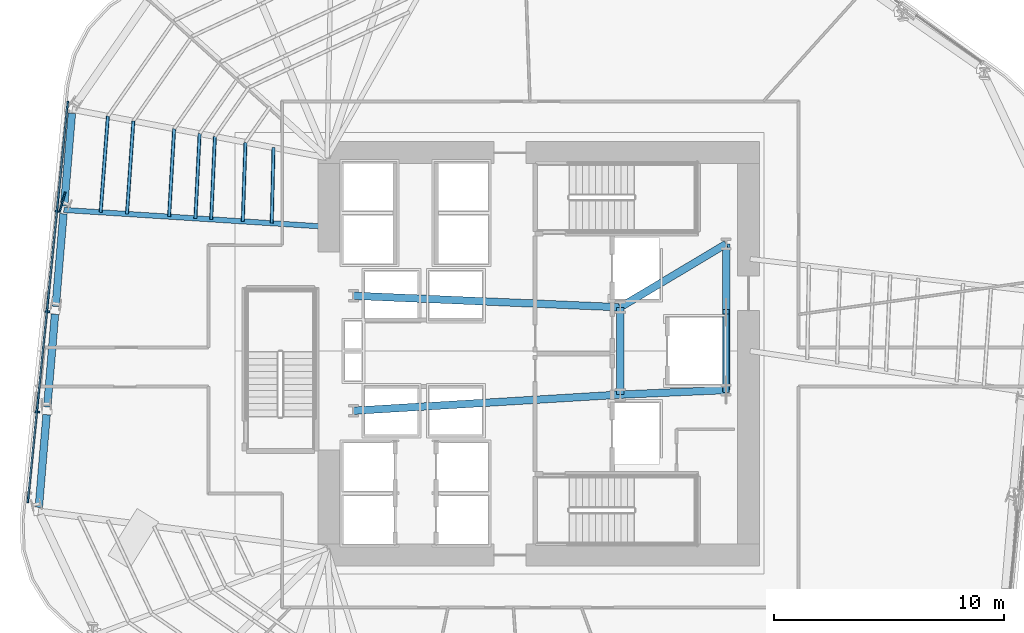
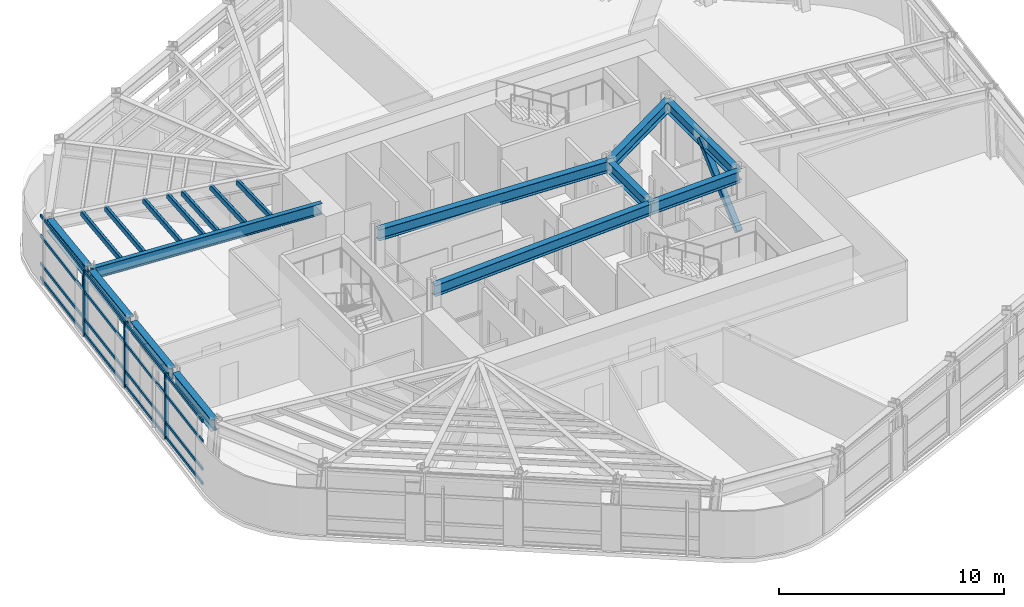
# One storey, part 4 of 16: 16 members, 11 beams, 1 element without a shape of its own.
"""IFC4 building model written with IfcOpenShell, lengths in metres."""

from ifc_helpers import new_model, si_unit, direction, frame, origin, origin_2d, place, context, subcontext, project, spatial, rectangle, hollow_rectangle, i_section, extrude, material, layer, layer_set, material_profile, profile_set, type_object, element, aggregate, save


model = new_model("IFC4")

# Units and contexts
model_context = context("Model", 3, precision=1e-05, world=origin(), true_north=direction((0.0, 1.0)))
body_context = subcontext(model_context, "Body", "Model", "MODEL_VIEW")
ifc_project = project(units=[si_unit("LENGTHUNIT", "METRE"), si_unit("AREAUNIT", "SQUARE_METRE"), si_unit("VOLUMEUNIT", "CUBIC_METRE"), si_unit("PLANEANGLEUNIT", "RADIAN"), si_unit("MASSUNIT", "GRAM", prefix="KILO")], contexts=[model_context])

# Site, building, storey
site_placement = place(None, origin())
site = spatial("IfcSite", under=ifc_project, at=site_placement, CompositionType="ELEMENT")
building_placement = place(site_placement, origin())
building = spatial("IfcBuilding", under=site, at=building_placement, Name="Valkerne Bourse Tower", CompositionType="ELEMENT")
storey_placement = place(building_placement, frame((0.0, 0.0, 127.60009765625)))
storey = spatial("IfcBuildingStorey", under=building, at=storey_placement, Name="L32", CompositionType="ELEMENT", Elevation=127.60009765625)

# Beams
ifc_material_1 = material(Name="Steel ASTM A992", Category="steel")
ifc_material_profile_1 = material_profile(ifc_material_1, i_section(OverallWidth=0.3251953125, OverallDepth=0.612060546875, WebThickness=0.0126953125, FlangeThickness=0.01904296875, FilletRadius=0.020263671875, at=origin_2d()), Name="W24X104")
ifc_profile_set_1 = profile_set([ifc_material_profile_1], Name="Steel ASTM A992")
beam_type_1 = type_object("IfcBeamType", Name="BM-W24X104", PredefinedType="BEAM", material=ifc_profile_set_1)
beam_1_placement = place(storey_placement, frame((50.35009765625, 25.10009765625, 3.27392578125), z_axis=(0.0, 1.0, 0.0), x_axis=(-1.0, 0.0, 0.0)))
element("IfcBeam", 1, at=beam_1_placement, inside=storey, type_object=beam_type_1, Name="L32 Core Frame Girder CG-CE", PredefinedType="BEAM", context=body_context, shape_type="SweptSolid", body=[
    extrude(i_section(OverallWidth=0.3251953125, OverallDepth=0.612060546875, WebThickness=0.0126953125, FlangeThickness=0.01904296875, FilletRadius=0.020263671875, at=origin_2d()), origin(), (0.0, 0.0, 1.0), 3.7998046875),
])
beam_2_placement = place(storey_placement, frame((50.35009765625, 25.10009765625, 3.27392578125), z_axis=(0.999056558506, 0.043428019819, 0.0), x_axis=(-0.043428019819, 0.999056558506, 0.0)))
element("IfcBeam", 2, at=beam_2_placement, inside=storey, type_object=beam_type_1, Name="L32 Core Frame Girder CG-SE", PredefinedType="BEAM", context=body_context, shape_type="SweptSolid", body=[
    extrude(i_section(OverallWidth=0.3251953125, OverallDepth=0.612060546875, WebThickness=0.0126953125, FlangeThickness=0.01904296875, FilletRadius=0.020263671875, at=origin_2d()), origin(), (0.0, 0.0, 1.0), 4.604248046875),
])
beam_3_placement = place(storey_placement, frame((50.35009765625, 28.89990234375, 3.27392578125), z_axis=(0.858307823492, 0.513135148019, 0.0), x_axis=(-0.513135148019, 0.858307823492, 0.0)))
element("IfcBeam", 3, at=beam_3_placement, inside=storey, type_object=beam_type_1, Name="L32 Core Frame Girder CG-NE", PredefinedType="BEAM", context=body_context, shape_type="SweptSolid", body=[
    extrude(i_section(OverallWidth=0.3251953125, OverallDepth=0.612060546875, WebThickness=0.0126953125, FlangeThickness=0.01904296875, FilletRadius=0.020263671875, at=origin_2d()), origin(), (0.0, 0.0, 1.0), 5.359130859375),
])
beam_4_placement = place(storey_placement, frame((54.949951171875, 25.300048828125, 3.27392578125), z_axis=(0.0, 1.0, 0.0), x_axis=(-1.0, 0.0, 0.0)))
element("IfcBeam", 4, at=beam_4_placement, inside=storey, type_object=beam_type_1, Name="L32 Core Frame Girder CG-EE", PredefinedType="BEAM", context=body_context, shape_type="SweptSolid", body=[
    extrude(i_section(OverallWidth=0.3251953125, OverallDepth=0.612060546875, WebThickness=0.0126953125, FlangeThickness=0.01904296875, FilletRadius=0.020263671875, at=origin_2d()), origin(), (0.0, 0.0, 1.0), 6.349853515625),
])
beam_5_placement = place(storey_placement, frame((38.75, 24.39990234375, 3.27392578125), z_axis=(0.998183228389, 0.060251494276, 0.0), x_axis=(-0.060251494276, 0.998183228389, 0.0)))
element("IfcBeam", 5, at=beam_5_placement, inside=storey, type_object=beam_type_1, Name="L32 Core Frame Girder CG-SW", PredefinedType="BEAM", context=body_context, shape_type="SweptSolid", body=[
    extrude(i_section(OverallWidth=0.3251953125, OverallDepth=0.612060546875, WebThickness=0.0126953125, FlangeThickness=0.01904296875, FilletRadius=0.020263671875, at=origin_2d()), origin(), (0.0, 0.0, 1.0), 11.62109375),
])
beam_6_placement = place(storey_placement, frame((38.75, 29.39990234375, 3.27392578125), z_axis=(0.999072354402, -0.043063101019, 0.0), x_axis=(0.043063101019, 0.999072354402, 0.0)))
element("IfcBeam", 6, at=beam_6_placement, inside=storey, type_object=beam_type_1, Name="L32 Core Frame Girder CG-NW", PredefinedType="BEAM", context=body_context, shape_type="SweptSolid", body=[
    extrude(i_section(OverallWidth=0.3251953125, OverallDepth=0.612060546875, WebThickness=0.0126953125, FlangeThickness=0.01904296875, FilletRadius=0.020263671875, at=origin_2d()), origin(), (0.0, 0.0, 1.0), 11.61083984375),
])
ifc_material_profile_2 = material_profile(ifc_material_1, i_section(OverallWidth=0.330078125, OverallDepth=0.647705078125, WebThickness=0.0205078125, FlangeThickness=0.037109375, FilletRadius=0.020263671875, at=origin_2d()), Name="W24X192")
ifc_profile_set_2 = profile_set([ifc_material_profile_2], Name="Steel ASTM A992")
beam_type_2 = type_object("IfcBeamType", Name="BM-W24X192", PredefinedType="SPANDREL", material=ifc_profile_set_2)
for number, where, z_axis, x_axis, name in (
    (7, (26.505615234375, 37.330322265625, 3.256103515625), (-0.083695133341, -0.996491407216, 0.0), (0.996491407216, -0.083695133341, 0.0), "L32 Hexagonal Spandrel Ring Beam 10"),
    (8, (26.138916015625, 32.962890625, 3.256103515625), (-0.083755095989, -0.996486369147, 0.0), (0.996486369147, -0.083755095989, 0.0), "L32 Hexagonal Spandrel Ring Beam 11"),
    (9, (25.77197265625, 28.59521484375, 3.256103515625), (-0.083695133341, -0.996491407216, 0.0), (0.996491407216, -0.083695133341, 0.0), "L32 Hexagonal Spandrel Ring Beam 12"),
    (10, (25.4052734375, 24.2275390625, 3.256103515625), (-0.083695133341, -0.996491407216, 0.0), (0.996491407216, -0.083695133341, 0.0), "L32 Hexagonal Spandrel Ring Beam 13"),
):
    element("IfcBeam", number, at=place(storey_placement, frame(where, z_axis=z_axis, x_axis=x_axis)), inside=storey, type_object=beam_type_2, Name=name, PredefinedType="SPANDREL", context=body_context, shape_type="SweptSolid", body=[
        extrude(i_section(OverallWidth=0.330078125, OverallDepth=0.647705078125, WebThickness=0.0205078125, FlangeThickness=0.037109375, FilletRadius=0.020263671875, at=origin_2d()), origin(), (0.0, 0.0, 1.0), 4.04296875),
    ])
ifc_material_profile_3 = material_profile(ifc_material_1, i_section(OverallWidth=0.228271484375, OverallDepth=0.607177734375, WebThickness=0.01123046875, FlangeThickness=0.017333984375, FilletRadius=0.017822265625, at=origin_2d()), Name="W24X76")
ifc_profile_set_3 = profile_set([ifc_material_profile_3], Name="Steel ASTM A992")
beam_type_3 = type_object("IfcBeamType", Name="BM-W24X76", PredefinedType="JOIST", material=ifc_profile_set_3)
beam_7_placement = place(storey_placement, frame((26.153076171875, 33.132080078125, 3.2763671875), z_axis=(0.9979606679, -0.063831851964, 0.0), x_axis=(0.063831851964, 0.9979606679, 0.0)))
element("IfcBeam", 11, at=beam_7_placement, inside=storey, type_object=beam_type_3, Name="L32 Radial Composite Floor Beam 11", PredefinedType="JOIST", context=body_context, shape_type="SweptSolid", body=[
    extrude(i_section(OverallWidth=0.228271484375, OverallDepth=0.607177734375, WebThickness=0.01123046875, FlangeThickness=0.017333984375, FilletRadius=0.017822265625, at=origin_2d()), origin(), (0.0, 0.0, 1.0), 11.470458984375),
])

# Curtain wall, members
ifc_material_2 = material(Name="Aluminium AA 6063-T6", Category="aluminium")
ifc_layer = layer(ifc_material_2, 0.22998046875)
ifc_layer_set = layer_set([ifc_layer], Name="Aluminium AA 6063-T6")
curtain_wall_type = type_object("IfcCurtainWallType", Name="CW-02", PredefinedType="NOTDEFINED", material=ifc_layer_set)
curtain_wall_placement = place(storey_placement, origin())
curtain_wall = element("IfcCurtainWall", 12, at=curtain_wall_placement, inside=storey, type_object=curtain_wall_type, Name="L32 Hexagonal Stick Curtain Wall Face 3", PredefinedType="NOTDEFINED")
ifc_material_profile_4 = material_profile(ifc_material_2, rectangle(XDim=0.074951171875, YDim=0.199951171875, at=origin_2d()), Name="CWM-75X200")
ifc_profile_set_4 = profile_set([ifc_material_profile_4], Name="Aluminium AA 6063-T6")
member_type_1 = type_object("IfcMemberType", Name="CW-MUL-220X75", PredefinedType="MULLION", material=ifc_profile_set_4)
member_1_placement = place(storey_placement, frame((25.871826171875, 33.07177734375, 0.0), z_axis=(0.0, 0.0, 1.0), x_axis=(-0.099336558133, -0.995053892118, 0.0)))
member_1 = element("IfcMember", 13, at=member_1_placement, type_object=member_type_1, Name="CW-L32-F3 Jamb Mullion 01A", PredefinedType="MULLION", context=body_context, shape_type="SweptSolid", body=[
    extrude(rectangle(XDim=0.074951171875, YDim=0.199951171875, at=origin_2d()), origin(), (0.0, 0.0, 1.0), 3.579833984375),
])
member_2_placement = place(storey_placement, frame((25.4365234375, 28.710205078125, 0.0), z_axis=(0.0, 0.0, 1.0), x_axis=(-0.099316222871, -0.995055921984, 0.0)))
member_2 = element("IfcMember", 14, at=member_2_placement, type_object=member_type_1, Name="CW-L32-F3 Jamb Mullion 02A", PredefinedType="MULLION", context=body_context, shape_type="SweptSolid", body=[
    extrude(rectangle(XDim=0.074951171875, YDim=0.199951171875, at=origin_2d()), origin(), (0.0, 0.0, 1.0), 3.579833984375),
])
member_3_placement = place(storey_placement, frame((25.001220703125, 24.348876953125, 0.0), z_axis=(0.0, 0.0, 1.0), x_axis=(-0.099316222871, -0.995055921984, 0.0)))
member_3 = element("IfcMember", 15, at=member_3_placement, type_object=member_type_1, Name="CW-L32-F3 Jamb Mullion 03A", PredefinedType="MULLION", context=body_context, shape_type="SweptSolid", body=[
    extrude(rectangle(XDim=0.074951171875, YDim=0.199951171875, at=origin_2d()), origin(), (0.0, 0.0, 1.0), 3.579833984375),
])
ifc_material_profile_5 = material_profile(ifc_material_2, rectangle(XDim=0.074951171875, YDim=0.14990234375, at=origin_2d()), Name="CWT-75X150")
ifc_profile_set_5 = profile_set([ifc_material_profile_5], Name="Aluminium AA 6063-T6")
member_type_2 = type_object("IfcMemberType", Name="CW-TRN-180X65", PredefinedType="USERDEFINED", material=ifc_profile_set_5)
member_4_placement = place(storey_placement, frame((26.3291015625, 37.852783203125, 0.119873046875), z_axis=(-0.099331370879, -0.995054409949, 0.0), x_axis=(0.995054409949, -0.099331370879, 0.0)))
member_4 = element("IfcMember", 16, at=member_4_placement, type_object=member_type_2, Name="CW-L32-F3 Continuous Face Transom 1", ObjectType="TRANSOM", PredefinedType="USERDEFINED", context=body_context, shape_type="SweptSolid", body=[
    extrude(rectangle(XDim=0.074951171875, YDim=0.14990234375, at=origin_2d()), origin(), (0.0, 0.0, 1.0), 17.53173828125),
])
member_5_placement = place(storey_placement, frame((26.3291015625, 37.852783203125, 0.89990234375), z_axis=(-0.099331370879, -0.995054409949, 0.0), x_axis=(0.995054409949, -0.099331370879, 0.0)))
member_5 = element("IfcMember", 17, at=member_5_placement, type_object=member_type_2, Name="CW-L32-F3 Continuous Face Transom 2", ObjectType="TRANSOM", PredefinedType="USERDEFINED", context=body_context, shape_type="SweptSolid", body=[
    extrude(rectangle(XDim=0.074951171875, YDim=0.14990234375, at=origin_2d()), origin(), (0.0, 0.0, 1.0), 17.53173828125),
])
member_6_placement = place(storey_placement, frame((26.3291015625, 37.852783203125, 2.39990234375), z_axis=(-0.099331370879, -0.995054409949, 0.0), x_axis=(0.995054409949, -0.099331370879, 0.0)))
member_6 = element("IfcMember", 18, at=member_6_placement, type_object=member_type_2, Name="CW-L32-F3 Continuous Face Transom 3", ObjectType="TRANSOM", PredefinedType="USERDEFINED", context=body_context, shape_type="SweptSolid", body=[
    extrude(rectangle(XDim=0.074951171875, YDim=0.14990234375, at=origin_2d()), origin(), (0.0, 0.0, 1.0), 17.53173828125),
])
member_7_placement = place(storey_placement, frame((26.3291015625, 37.852783203125, 3.5), z_axis=(-0.099331370879, -0.995054409949, 0.0), x_axis=(0.995054409949, -0.099331370879, 0.0)))
member_7 = element("IfcMember", 19, at=member_7_placement, type_object=member_type_2, Name="CW-L32-F3 Continuous Face Transom 4", ObjectType="TRANSOM", PredefinedType="USERDEFINED", context=body_context, shape_type="SweptSolid", body=[
    extrude(rectangle(XDim=0.074951171875, YDim=0.14990234375, at=origin_2d()), origin(), (0.0, 0.0, 1.0), 17.53173828125),
])
aggregate(curtain_wall, [member_4, member_5, member_6, member_7, member_1, member_2, member_3])

# Members
ifc_material_3 = material(Name="Bronze Anodised Aluminium AA 6063-T6", Category="aluminium")
ifc_material_profile_6 = material_profile(ifc_material_3, rectangle(XDim=0.070068359375, YDim=0.89990234375, at=origin_2d()), Name="FIN-70X900")
ifc_profile_set_6 = profile_set([ifc_material_profile_6], Name="Bronze Anodised Aluminium AA 6063-T6")
member_type_3 = type_object("IfcMemberType", Name="FIN-SOLAR-900", PredefinedType="USERDEFINED", material=ifc_profile_set_6)
member_8_placement = place(storey_placement, frame((26.0927734375, 33.4716796875, 0.00390625), z_axis=(0.0, 0.0, 1.0), x_axis=(-0.960992015071, 0.276576114243, 0.0)))
element("IfcMember", 20, at=member_8_placement, inside=storey, type_object=member_type_3, Name="L32 Bronze Anodised Solar Fin F3-01", ObjectType="SOLAR_FIN", PredefinedType="USERDEFINED", context=body_context, shape_type="SweptSolid", body=[
    extrude(rectangle(XDim=0.070068359375, YDim=0.89990234375, at=origin_2d()), origin(), (0.0, 0.0, 1.0), 3.572021484375),
])
ifc_material_4 = material(Name="Steel ASTM A500 Grade C", Category="steel")
ifc_material_profile_7 = material_profile(ifc_material_4, hollow_rectangle(XDim=0.14990234375, YDim=0.300048828125, WallThickness=0.012451171875, OuterFilletRadius=0.02490234375, at=origin_2d()), Name="HSS300X150X12.5")
ifc_profile_set_7 = profile_set([ifc_material_profile_7], Name="Steel ASTM A500 Grade C")
member_type_4 = type_object("IfcMemberType", Name="MBR-HSS300X150X12.5", PredefinedType="PURLIN", material=ifc_profile_set_7)
member_9_placement = place(storey_placement, frame((34.05419921875, 36.072021484375, 3.419921875), z_axis=(-0.03406869944, -0.999419493365, 0.0), x_axis=(0.999419493365, -0.03406869944, 0.0)))
element("IfcMember", 21, at=member_9_placement, inside=storey, type_object=member_type_4, Name="L32 Secondary Composite Floor Purlin I-10", PredefinedType="PURLIN", context=body_context, shape_type="SweptSolid", body=[
    extrude(hollow_rectangle(XDim=0.14990234375, YDim=0.300048828125, WallThickness=0.012451171875, OuterFilletRadius=0.02490234375, at=origin_2d()), origin(), (0.0, 0.0, 1.0), 3.439697265625),
])
member_10_placement = place(storey_placement, frame((32.724609375, 36.323974609375, 3.419921875), z_axis=(-0.044759543064, -0.998997789439, 0.0), x_axis=(0.998997789439, -0.044759543064, 0.0)))
element("IfcMember", 22, at=member_10_placement, inside=storey, type_object=member_type_4, Name="L32 Secondary Composite Floor Purlin K-10", PredefinedType="PURLIN", context=body_context, shape_type="SweptSolid", body=[
    extrude(hollow_rectangle(XDim=0.14990234375, YDim=0.300048828125, WallThickness=0.012451171875, OuterFilletRadius=0.02490234375, at=origin_2d()), origin(), (0.0, 0.0, 1.0), 3.60546875),
])
member_11_placement = place(storey_placement, frame((32.059814453125, 36.449951171875, 3.419921875), z_axis=(-0.049709824412, -0.998763702463, 0.0), x_axis=(0.998763702463, -0.049709824412, 0.0)))
element("IfcMember", 23, at=member_11_placement, inside=storey, type_object=member_type_4, Name="L32 Secondary Composite Floor Purlin M-10", PredefinedType="PURLIN", context=body_context, shape_type="SweptSolid", body=[
    extrude(hollow_rectangle(XDim=0.14990234375, YDim=0.300048828125, WallThickness=0.012451171875, OuterFilletRadius=0.02490234375, at=origin_2d()), origin(), (0.0, 0.0, 1.0), 3.6884765625),
])
member_12_placement = place(storey_placement, frame((29.178955078125, 36.995849609375, 3.419921875), z_axis=(-0.068800022216, -0.997630471138, 0.0), x_axis=(0.997630471138, -0.068800022216, 0.0)))
element("IfcMember", 24, at=member_12_placement, inside=storey, type_object=member_type_4, Name="L32 Secondary Composite Floor Purlin O-10", PredefinedType="PURLIN", context=body_context, shape_type="SweptSolid", body=[
    extrude(hollow_rectangle(XDim=0.14990234375, YDim=0.300048828125, WallThickness=0.012451171875, OuterFilletRadius=0.02490234375, at=origin_2d()), origin(), (0.0, 0.0, 1.0), 4.048828125),
])
member_13_placement = place(storey_placement, frame((30.951904296875, 36.659912109375, 3.419921875), z_axis=(-0.057543955671, -0.998342973715, 0.0), x_axis=(0.998342973715, -0.057543955671, 0.0)))
element("IfcMember", 25, at=member_13_placement, inside=storey, type_object=member_type_4, Name="L32 Secondary Composite Floor Purlin Z-10", PredefinedType="PURLIN", context=body_context, shape_type="SweptSolid", body=[
    extrude(hollow_rectangle(XDim=0.14990234375, YDim=0.300048828125, WallThickness=0.012451171875, OuterFilletRadius=0.02490234375, at=origin_2d()), origin(), (0.0, 0.0, 1.0), 3.826904296875),
])
member_14_placement = place(storey_placement, frame((35.273193359375, 35.841064453125, 3.419921875), z_axis=(-0.023461791017, -0.999724734296, 0.0), x_axis=(0.999724734296, -0.023461791017, 0.0)))
element("IfcMember", 26, at=member_14_placement, inside=storey, type_object=member_type_4, Name="L32 Secondary Composite Floor Purlin S-10", PredefinedType="PURLIN", context=body_context, shape_type="SweptSolid", body=[
    extrude(hollow_rectangle(XDim=0.14990234375, YDim=0.300048828125, WallThickness=0.012451171875, OuterFilletRadius=0.02490234375, at=origin_2d()), origin(), (0.0, 0.0, 1.0), 3.288330078125),
])
member_15_placement = place(storey_placement, frame((28.071044921875, 37.205810546875, 3.419921875), z_axis=(-0.075318916635, -0.997159496167, 0.0), x_axis=(0.997159496167, -0.075318916635, 0.0)))
element("IfcMember", 27, at=member_15_placement, inside=storey, type_object=member_type_4, Name="L32 Secondary Composite Floor Purlin T-10", PredefinedType="PURLIN", context=body_context, shape_type="SweptSolid", body=[
    extrude(hollow_rectangle(XDim=0.14990234375, YDim=0.300048828125, WallThickness=0.012451171875, OuterFilletRadius=0.02490234375, at=origin_2d()), origin(), (0.0, 0.0, 1.0), 4.18798828125),
])
ifc_material_profile_8 = material_profile(ifc_material_4, hollow_rectangle(XDim=0.300048828125, YDim=0.300048828125, WallThickness=0.012451171875, OuterFilletRadius=0.02490234375, at=origin_2d()), Name="HSS300X300X12.5")
ifc_profile_set_8 = profile_set([ifc_material_profile_8], Name="Steel ASTM A500 Grade C")
member_type_5 = type_object("IfcMemberType", Name="MBR-HSS300X300X12.5", PredefinedType="STRUT", material=ifc_profile_set_8)
member_16_placement = place(storey_placement, frame((54.949951171875, 25.300048828125, 0.219970703125), z_axis=(0.0, 0.743941933778, 0.668244266094), x_axis=(-1.0, 0.0, 0.0)))
element("IfcMember", 28, at=member_16_placement, inside=storey, type_object=member_type_5, Name="L32 Core Service Pier Lateral Brace", PredefinedType="STRUT", context=body_context, shape_type="SweptSolid", body=[
    extrude(hollow_rectangle(XDim=0.300048828125, YDim=0.300048828125, WallThickness=0.012451171875, OuterFilletRadius=0.02490234375, at=origin_2d()), origin(), (0.0, 0.0, 1.0), 4.570068359375),
])

save(model, "model.ifc")
